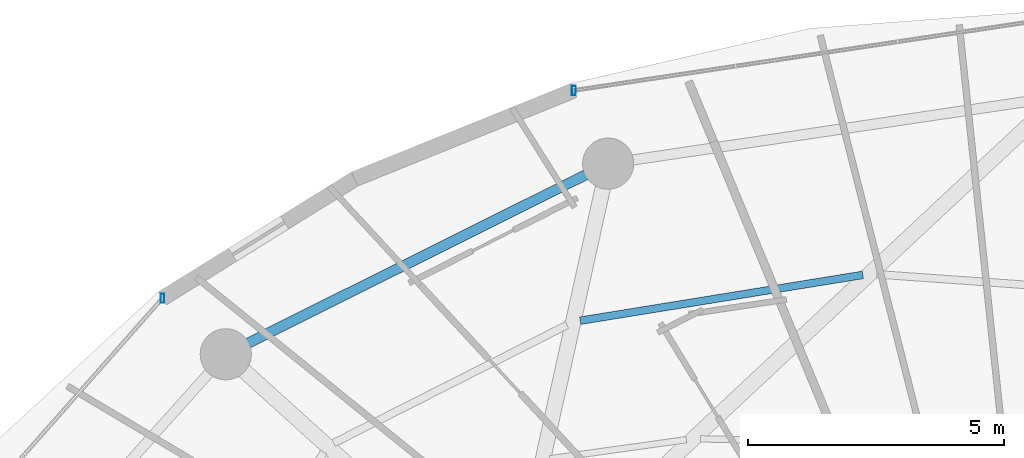
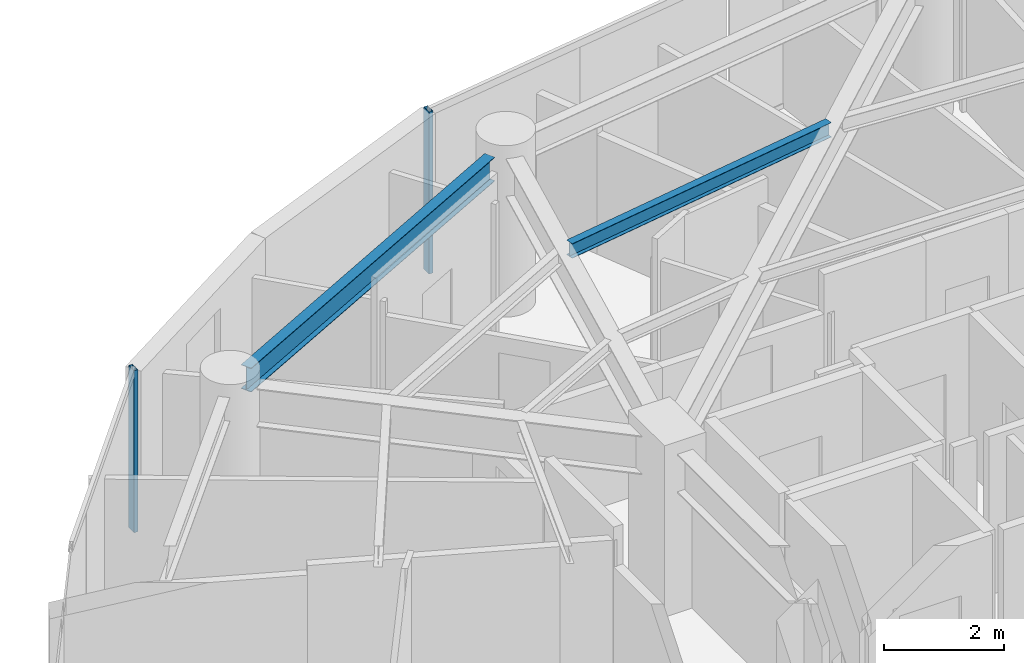
# One storey, part 15 of 28: 2 beams, 2 members, 2 elements without a shape of their own.
"""IFC4 building model written with IfcOpenShell, lengths in metres."""

from ifc_helpers import new_model, si_unit, direction, frame, origin, origin_2d, place, context, subcontext, project, spatial, hollow_rectangle, i_section, extrude, material, material_profile, profile_set, type_object, element, aggregate, save


model = new_model("IFC4")

# Units and contexts
model_context = context("Model", 3, precision=1e-05, world=origin(), true_north=direction((0.0, 1.0)))
body_context = subcontext(model_context, "Body", "Model", "MODEL_VIEW")
ifc_project = project(units=[si_unit("LENGTHUNIT", "METRE"), si_unit("AREAUNIT", "SQUARE_METRE"), si_unit("VOLUMEUNIT", "CUBIC_METRE"), si_unit("PLANEANGLEUNIT", "RADIAN"), si_unit("MASSUNIT", "GRAM", prefix="KILO")], contexts=[model_context])

# Site, building, storey
site_placement = place(None, origin())
site = spatial("IfcSite", under=ifc_project, at=site_placement, CompositionType="ELEMENT")
building_placement = place(site_placement, origin())
building = spatial("IfcBuilding", under=site, at=building_placement, Name="Vorneva Point Tower", CompositionType="ELEMENT")
storey_placement = place(building_placement, frame((0.0, 0.0, 139.60009765625)))
storey = spatial("IfcBuildingStorey", under=building, at=storey_placement, Name="L37", CompositionType="ELEMENT", Elevation=139.60009765625)

# Beams
ifc_material_1 = material(Name="Steel S355", Category="steel")
ifc_material_profile_1 = material_profile(ifc_material_1, i_section(OverallWidth=0.14892578125, OverallDepth=0.298095703125, WebThickness=0.005615234375, FlangeThickness=0.008056640625, at=origin_2d()), Name="30B1")
ifc_profile_set_1 = profile_set([ifc_material_profile_1], Name="Steel S355")
beam_type_1 = type_object("IfcBeamType", Name="BM-JST-30B1", PredefinedType="JOIST", material=ifc_profile_set_1)
beam_1_placement = place(storey_placement, frame((34.159423828125, 39.714599609375, 3.0908203125), z_axis=(-0.987113669352, -0.160020635475, 0.0), x_axis=(0.160020635475, -0.987113669352, 0.0)))
element("IfcBeam", 1, at=beam_1_placement, inside=storey, type_object=beam_type_1, Name="L37 Secondary Floor Beam 1.05", PredefinedType="JOIST", context=body_context, shape_type="SweptSolid", body=[
    extrude(i_section(OverallWidth=0.14892578125, OverallDepth=0.298095703125, WebThickness=0.005615234375, FlangeThickness=0.008056640625, at=origin_2d()), origin(), (0.0, 0.0, 1.0), 5.599365234375),
])
ifc_material_profile_2 = material_profile(ifc_material_1, i_section(OverallWidth=0.199951171875, OverallDepth=0.491943359375, WebThickness=0.0087890625, FlangeThickness=0.011962890625, at=origin_2d()), Name="50B1")
ifc_profile_set_2 = profile_set([ifc_material_profile_2], Name="Steel S355")
beam_type_2 = type_object("IfcBeamType", Name="BM-SPN-50B1", PredefinedType="SPANDREL", material=ifc_profile_set_2)
beam_2_placement = place(storey_placement, frame((28.7451171875, 41.67431640625, 2.993896484375), z_axis=(-0.894929061397, -0.446208443518, 0.0), x_axis=(0.446208443518, -0.894929061397, 0.0)))
element("IfcBeam", 2, at=beam_2_placement, inside=storey, type_object=beam_type_2, Name="L37 Perimeter Spandrel Ring Beam 06", PredefinedType="SPANDREL", context=body_context, shape_type="SweptSolid", body=[
    extrude(i_section(OverallWidth=0.199951171875, OverallDepth=0.491943359375, WebThickness=0.0087890625, FlangeThickness=0.011962890625, at=origin_2d()), origin(), (0.0, 0.0, 1.0), 7.385986328125),
])

# Curtain wall, member
ifc_material_2 = material(Name="Pale anodised aluminium", Category="aluminium")
curtain_wall_type = type_object("IfcCurtainWallType", Name="CW-RES-SYS", PredefinedType="NOTDEFINED", material=ifc_material_2)
curtain_wall_1_placement = place(storey_placement, origin())
curtain_wall_1 = element("IfcCurtainWall", 3, at=curtain_wall_1_placement, inside=storey, type_object=curtain_wall_type, Name="L37 Unitised Curtain Wall CW-L37-R01", PredefinedType="NOTDEFINED")
ifc_material_profile_3 = material_profile(ifc_material_2, hollow_rectangle(XDim=0.074951171875, YDim=0.179931640625, WallThickness=0.00390625, at=origin_2d()), Name="AL-MUL 180x75x4")
ifc_profile_set_3 = profile_set([ifc_material_profile_3], Name="Pale anodised aluminium")
member_type = type_object("IfcMemberType", Name="CW-MUL-180", PredefinedType="MULLION", material=ifc_profile_set_3)
member_1_placement = place(storey_placement, frame((28.509521484375, 43.32275390625, -0.0400390625), z_axis=(0.0, 0.0, 1.0), x_axis=(1.0, 0.0, 0.0)))
member_1 = element("IfcMember", 4, at=member_1_placement, type_object=member_type, Name="CW-L37-R01 Mullion 05", PredefinedType="MULLION", context=body_context, shape_type="SweptSolid", body=[
    extrude(hollow_rectangle(XDim=0.074951171875, YDim=0.179931640625, WallThickness=0.00390625, at=origin_2d()), origin(), (0.0, 0.0, 1.0), 3.31005859375),
])
aggregate(curtain_wall_1, [member_1])

curtain_wall_2_placement = place(storey_placement, origin())
curtain_wall_2 = element("IfcCurtainWall", 5, at=curtain_wall_2_placement, inside=storey, type_object=curtain_wall_type, Name="L37 Unitised Curtain Wall CW-L37-R02", PredefinedType="NOTDEFINED")
member_2_placement = place(storey_placement, frame((20.4638671875, 39.25830078125, -0.0400390625), z_axis=(0.0, 0.0, 1.0), x_axis=(1.0, 0.0, 0.0)))
member_2 = element("IfcMember", 6, at=member_2_placement, type_object=member_type, Name="CW-L37-R02 Mullion 01", PredefinedType="MULLION", context=body_context, shape_type="SweptSolid", body=[
    extrude(hollow_rectangle(XDim=0.074951171875, YDim=0.179931640625, WallThickness=0.00390625, at=origin_2d()), origin(), (0.0, 0.0, 1.0), 3.31005859375),
])
aggregate(curtain_wall_2, [member_2])

save(model, "model.ifc")
